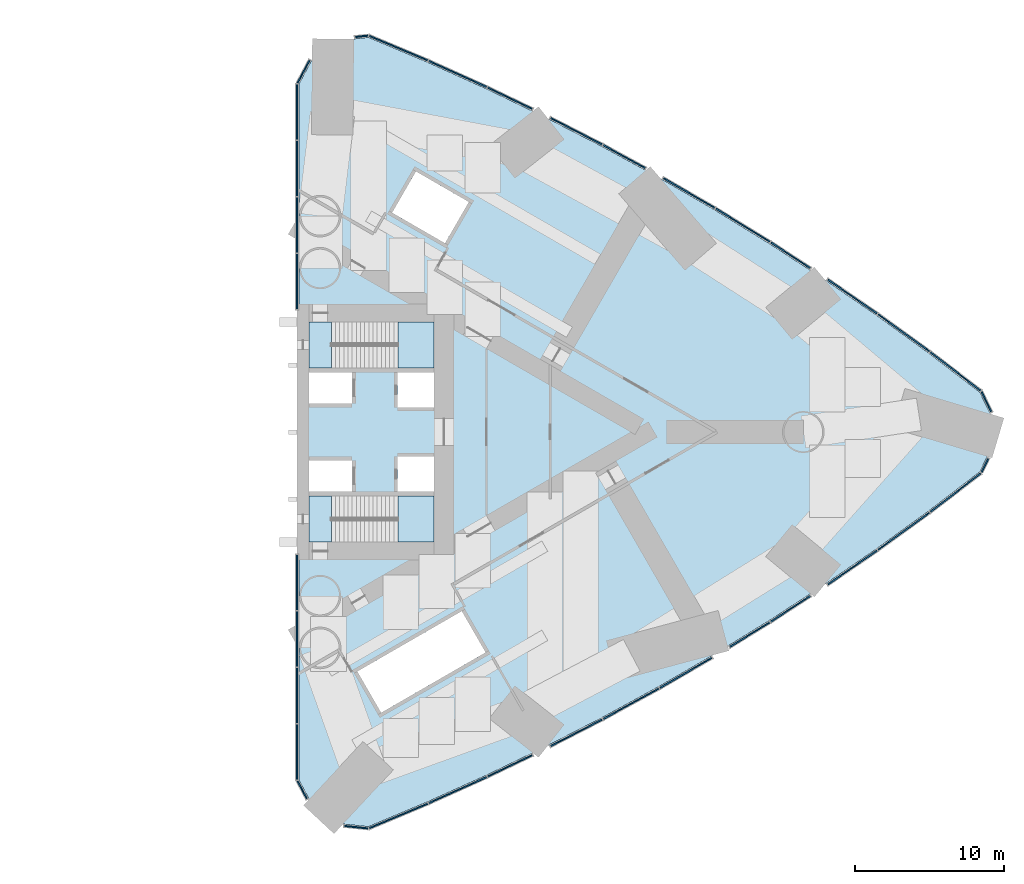
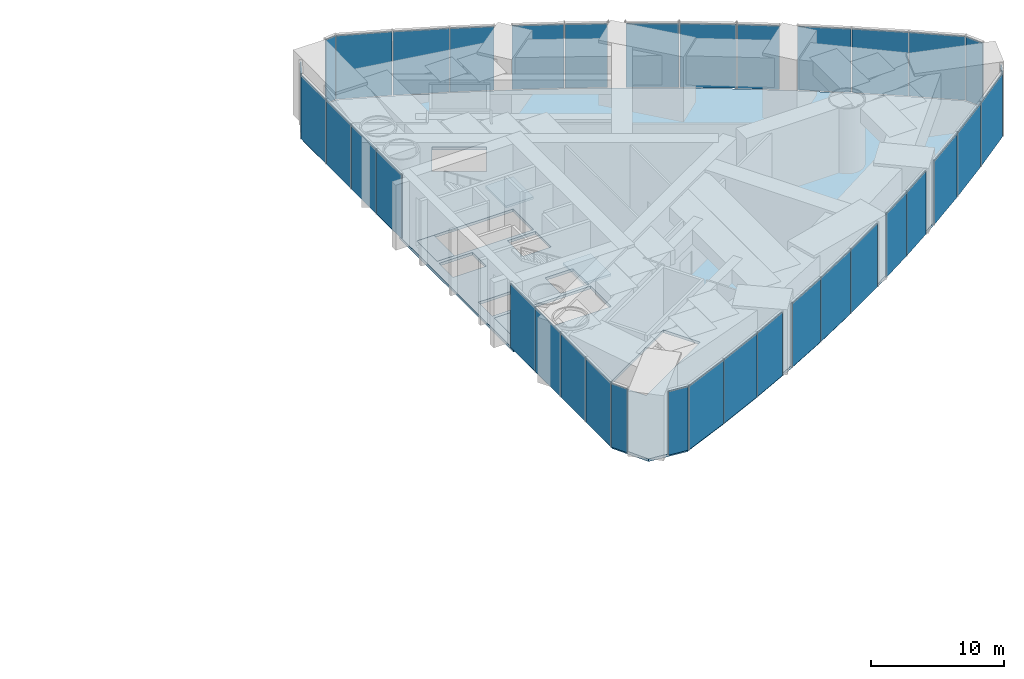
# One storey, part 12 of 18: 36 plates, 5 slabs, 12 elements without a shape of their own.
"""IFC4 building model written with IfcOpenShell, lengths in metres."""

from ifc_helpers import new_model, si_unit, direction, frame, origin, origin_2d, place, context, subcontext, project, spatial, polyline, rectangle, outline, extrude, material, layer, layer_set, type_object, element, aggregate, save


model = new_model("IFC4")

# Units and contexts
model_context = context("Model", 3, precision=1e-05, world=origin(), true_north=direction((0.0, 1.0)))
body_context = subcontext(model_context, "Body", "Model", "MODEL_VIEW")
ifc_project = project(units=[si_unit("LENGTHUNIT", "METRE"), si_unit("AREAUNIT", "SQUARE_METRE"), si_unit("VOLUMEUNIT", "CUBIC_METRE"), si_unit("PLANEANGLEUNIT", "RADIAN"), si_unit("MASSUNIT", "GRAM", prefix="KILO")], contexts=[model_context])

# Site, building, storey
site_placement = place(None, origin())
site = spatial("IfcSite", under=ifc_project, at=site_placement, CompositionType="ELEMENT")
building_placement = place(site_placement, origin())
building = spatial("IfcBuilding", under=site, at=building_placement, Name="Lancet Gate Hotel", CompositionType="ELEMENT")
storey_placement = place(building_placement, frame((0.0, 0.0, 81.0)))
storey = spatial("IfcBuildingStorey", under=building, at=storey_placement, Name="L21", CompositionType="ELEMENT", Elevation=81.0)

# Slab
ifc_material_1 = material(Name="Concrete C50/60", Category="concrete")
ifc_layer_1 = layer(ifc_material_1, 0.25)
ifc_layer_set_1 = layer_set([ifc_layer_1], Name="Floor slab 250")
slab_type_1 = type_object("IfcSlabType", Name="Floor slab 250", PredefinedType="FLOOR", material=ifc_layer_set_1)
slab_1_placement = place(storey_placement, frame((0.0, 0.0, -0.25)))
element("IfcSlab", 1, at=slab_1_placement, inside=storey, type_object=slab_type_1, Name="T2 L21 floor slab", PredefinedType="FLOOR", context=body_context, shape_type="SweptSolid", body=[
    extrude(outline(polyline([(27.5, -8.60009765625), (27.6201171875, -8.60009765625), (27.6201171875, -23.35498046875), (29.12158203125, -26.175537109375), (32.299072265625, -26.5048828125), (36.26708984375, -24.833740234375), (40.2177734375, -23.050048828125), (44.121826171875, -21.16650390625), (47.9765625, -19.18408203125), (51.77978515625, -17.104248046875), (55.528564453125, -14.92822265625), (59.220947265625, -12.657470703125), (62.854248046875, -10.29345703125), (66.42626953125, -7.837890625), (69.934814453125, -5.292236328125), (73.355712890625, -2.67431640625), (74.65576171875, 0.0), (73.355712890625, 2.67431640625), (69.934814453125, 5.292236328125), (66.42626953125, 7.837890625), (62.854248046875, 10.29345703125), (59.220947265625, 12.657470703125), (55.528564453125, 14.92822265625), (51.77978515625, 17.104248046875), (47.9765625, 19.18408203125), (44.121826171875, 21.16650390625), (40.2177734375, 23.050048828125), (36.26708984375, 24.833740234375), (32.299072265625, 26.5048828125), (29.12158203125, 26.175537109375), (27.6201171875, 23.35498046875), (27.6201171875, 8.60009765625), (27.5, 8.60009765625), (27.5, 8.199951171875), (27.5, -8.199951171875), (27.5, -8.60009765625)]), holes=[polyline([(36.699951171875, -7.39990234375), (36.699951171875, -4.300048828125), (28.300048828125, -4.300048828125), (28.300048828125, -7.39990234375), (36.699951171875, -7.39990234375)]), polyline([(28.300048828125, -4.0), (31.199951171875, -4.0), (31.199951171875, -1.89990234375), (28.300048828125, -1.89990234375), (28.300048828125, -4.0)]), polyline([(34.25, -4.0), (36.699951171875, -4.0), (36.699951171875, -1.64990234375), (34.25, -1.64990234375), (34.25, -4.0)]), polyline([(36.699951171875, 1.64990234375), (36.699951171875, 4.0), (34.25, 4.0), (34.25, 1.64990234375), (36.699951171875, 1.64990234375)]), polyline([(28.300048828125, 1.89990234375), (31.199951171875, 1.89990234375), (31.199951171875, 4.0), (28.300048828125, 4.0), (28.300048828125, 1.89990234375)]), polyline([(28.300048828125, 4.300048828125), (36.699951171875, 4.300048828125), (36.699951171875, 7.39990234375), (28.300048828125, 7.39990234375), (28.300048828125, 4.300048828125)]), polyline([(31.549072265625, -16.0810546875), (33.14892578125, -18.85205078125), (40.1640625, -14.802001953125), (38.56396484375, -12.031005859375), (31.549072265625, -16.0810546875)]), polyline([(33.887939453125, 14.73095703125), (37.43798828125, 12.680908203125), (39.0380859375, 15.451904296875), (35.488037109375, 17.501953125), (33.887939453125, 14.73095703125)])]), origin(), (0.0, 0.0, 1.0), 0.25),
])

# Curtain wall, plates
ifc_material_2 = material(Name="Aluminium curtain wall", Category="aluminium")
curtain_wall_type = type_object("IfcCurtainWallType", Name="Refuge storey louvred curtain wall", PredefinedType="USERDEFINED", material=ifc_material_2)
curtain_wall_1_placement = place(storey_placement, origin())
curtain_wall_1 = element("IfcCurtainWall", 2, at=curtain_wall_1_placement, inside=storey, type_object=curtain_wall_type, Name="T2 L21 curtain wall 1", ObjectType="LANTERN GLAZING", PredefinedType="USERDEFINED")
ifc_material_3 = material(Name="Aluminium weather louvre 100 deep", Category="aluminium")
ifc_layer_2 = layer(ifc_material_3, 0.10009765625)
ifc_layer_set_2 = layer_set([ifc_layer_2], Name="Louvre panel")
plate_type = type_object("IfcPlateType", Name="Louvre panel", PredefinedType="CURTAIN_PANEL", material=ifc_layer_set_2)
plate_1_placement = place(storey_placement, frame((27.5, -10.09814453125, 0.0), z_axis=(0.0, 0.0, 1.0), x_axis=(0.0, -1.0, 0.0)))
plate_1 = element("IfcPlate", 3, at=plate_1_placement, type_object=plate_type, Name="T2 L21 curtain wall 1 panel 1", PredefinedType="CURTAIN_PANEL", context=body_context, shape_type="SweptSolid", body=[
    extrude(rectangle(XDim=3.731201171875, YDim=0.10009765625, at=origin_2d()), origin(), (0.0, 0.0, 1.0), 5.85009765625),
])
plate_2_placement = place(storey_placement, frame((27.5, -13.894287109375, 0.0), z_axis=(0.0, 0.0, 1.0), x_axis=(0.0, -1.0, 0.0)))
plate_2 = element("IfcPlate", 4, at=plate_2_placement, type_object=plate_type, Name="T2 L21 curtain wall 1 panel 2", PredefinedType="CURTAIN_PANEL", context=body_context, shape_type="SweptSolid", body=[
    extrude(rectangle(XDim=3.731201171875, YDim=0.10009765625, at=origin_2d()), origin(), (0.0, 0.0, 1.0), 5.85009765625),
])
plate_3_placement = place(storey_placement, frame((27.5, -17.6904296875, 0.0), z_axis=(0.0, 0.0, 1.0), x_axis=(0.0, -1.0, 0.0)))
plate_3 = element("IfcPlate", 5, at=plate_3_placement, type_object=plate_type, Name="T2 L21 curtain wall 1 panel 3", PredefinedType="CURTAIN_PANEL", context=body_context, shape_type="SweptSolid", body=[
    extrude(rectangle(XDim=3.731201171875, YDim=0.10009765625, at=origin_2d()), origin(), (0.0, 0.0, 1.0), 5.85009765625),
])
plate_4_placement = place(storey_placement, frame((27.5, -21.48681640625, 0.0), z_axis=(0.0, 0.0, 1.0), x_axis=(0.0, -1.0, 0.0)))
plate_4 = element("IfcPlate", 6, at=plate_4_placement, type_object=plate_type, Name="T2 L21 curtain wall 1 panel 4", PredefinedType="CURTAIN_PANEL", context=body_context, shape_type="SweptSolid", body=[
    extrude(rectangle(XDim=3.731201171875, YDim=0.10009765625, at=origin_2d()), origin(), (0.0, 0.0, 1.0), 5.85009765625),
])
plate_5_placement = place(storey_placement, frame((27.841796875, -24.02685546875, 0.0), z_axis=(0.0, 0.0, 1.0), x_axis=(0.469897827284, -0.882720811987, 0.0)))
plate_5 = element("IfcPlate", 7, at=plate_5_placement, type_object=plate_type, Name="T2 L21 curtain wall 1 panel 5", PredefinedType="CURTAIN_PANEL", context=body_context, shape_type="SweptSolid", body=[
    extrude(rectangle(XDim=1.389892578125, YDim=0.10009765625, at=origin_2d()), origin(), (0.0, 0.0, 1.0), 5.85009765625),
])
aggregate(curtain_wall_1, [plate_1, plate_2, plate_3, plate_4, plate_5])

curtain_wall_2_placement = place(storey_placement, origin())
curtain_wall_2 = element("IfcCurtainWall", 8, at=curtain_wall_2_placement, inside=storey, type_object=curtain_wall_type, Name="T2 L21 curtain wall 2", ObjectType="LANTERN GLAZING", PredefinedType="USERDEFINED")
plate_6_placement = place(storey_placement, frame((31.47802734375, -26.54052734375, 0.0), z_axis=(0.0, 0.0, 1.0), x_axis=(0.994672262412, -0.10308778001, 0.0)))
plate_6 = element("IfcPlate", 9, at=plate_6_placement, type_object=plate_type, Name="T2 L21 curtain wall 2 panel 1", PredefinedType="CURTAIN_PANEL", context=body_context, shape_type="SweptSolid", body=[
    extrude(rectangle(XDim=1.62255859375, YDim=0.10009765625, at=origin_2d()), origin(), (0.0, 0.0, 1.0), 5.85009765625),
])
plate_7_placement = place(storey_placement, frame((34.316162109375, -25.78564453125, 0.0), z_axis=(0.0, 0.0, 1.0), x_axis=(0.92159330598, 0.38815689917, 0.0)))
plate_7 = element("IfcPlate", 10, at=plate_7_placement, type_object=plate_type, Name="T2 L21 curtain wall 2 panel 2", PredefinedType="CURTAIN_PANEL", context=body_context, shape_type="SweptSolid", body=[
    extrude(rectangle(XDim=4.272705078125, YDim=0.10009765625, at=origin_2d()), origin(), (0.0, 0.0, 1.0), 5.85009765625),
])
plate_8_placement = place(storey_placement, frame((38.291748046875, -24.05126953125, 0.0), z_axis=(0.0, 0.0, 1.0), x_axis=(0.911415640556, 0.41148697446, 0.0)))
plate_8 = element("IfcPlate", 11, at=plate_8_placement, type_object=plate_type, Name="T2 L21 curtain wall 2 panel 3", PredefinedType="CURTAIN_PANEL", context=body_context, shape_type="SweptSolid", body=[
    extrude(rectangle(XDim=4.272705078125, YDim=0.10009765625, at=origin_2d()), origin(), (0.0, 0.0, 1.0), 5.85009765625),
])
plate_9_placement = place(storey_placement, frame((41.80029296875, -22.419677734375, 0.0), z_axis=(0.0, 0.0, 1.0), x_axis=(0.90064748964, 0.434550456686, 0.0)))
plate_9 = element("IfcPlate", 12, at=plate_9_placement, type_object=plate_type, Name="T2 L21 curtain wall 2 panel 4", PredefinedType="CURTAIN_PANEL", context=body_context, shape_type="SweptSolid", body=[
    extrude(rectangle(XDim=3.33642578125, YDim=0.10009765625, at=origin_2d()), origin(), (0.0, 0.0, 1.0), 5.85009765625),
])
aggregate(curtain_wall_2, [plate_6, plate_7, plate_8, plate_9])

curtain_wall_3_placement = place(storey_placement, origin())
curtain_wall_3 = element("IfcCurtainWall", 13, at=curtain_wall_3_placement, inside=storey, type_object=curtain_wall_type, Name="T2 L21 curtain wall 3", ObjectType="LANTERN GLAZING", PredefinedType="USERDEFINED")
plate_10_placement = place(storey_placement, frame((46.26025390625, -20.20166015625, 0.0), z_axis=(0.0, 0.0, 1.0), x_axis=(0.889295829671, 0.457332403541, 0.0)))
plate_10 = element("IfcPlate", 14, at=plate_10_placement, type_object=plate_type, Name="T2 L21 curtain wall 3 panel 1", PredefinedType="CURTAIN_PANEL", context=body_context, shape_type="SweptSolid", body=[
    extrude(rectangle(XDim=3.921630859375, YDim=0.10009765625, at=origin_2d()), origin(), (0.0, 0.0, 1.0), 5.85009765625),
])
plate_11_placement = place(storey_placement, frame((49.935791015625, -18.249267578125, 0.0), z_axis=(0.0, 0.0, 1.0), x_axis=(0.877368015134, 0.47981805512, 0.0)))
plate_11 = element("IfcPlate", 15, at=plate_11_placement, type_object=plate_type, Name="T2 L21 curtain wall 3 panel 2", PredefinedType="CURTAIN_PANEL", context=body_context, shape_type="SweptSolid", body=[
    extrude(rectangle(XDim=4.272705078125, YDim=0.10009765625, at=origin_2d()), origin(), (0.0, 0.0, 1.0), 5.85009765625),
])
plate_12_placement = place(storey_placement, frame((53.6181640625, -16.17578125, 0.0), z_axis=(0.0, 0.0, 1.0), x_axis=(0.864871773788, 0.501992843479, 0.0)))
plate_12 = element("IfcPlate", 16, at=plate_12_placement, type_object=plate_type, Name="T2 L21 curtain wall 3 panel 3", PredefinedType="CURTAIN_PANEL", context=body_context, shape_type="SweptSolid", body=[
    extrude(rectangle(XDim=4.050537109375, YDim=0.10009765625, at=origin_2d()), origin(), (0.0, 0.0, 1.0), 5.85009765625),
])
aggregate(curtain_wall_3, [plate_10, plate_11, plate_12])

curtain_wall_4_placement = place(storey_placement, origin())
curtain_wall_4 = element("IfcCurtainWall", 17, at=curtain_wall_4_placement, inside=storey, type_object=curtain_wall_type, Name="T2 L21 curtain wall 4", ObjectType="LANTERN GLAZING", PredefinedType="USERDEFINED")
plate_13_placement = place(storey_placement, frame((57.910400390625, -13.604248046875, 0.0), z_axis=(0.0, 0.0, 1.0), x_axis=(0.851815201664, 0.523842402077, 0.0)))
plate_13 = element("IfcPlate", 18, at=plate_13_placement, type_object=plate_type, Name="T2 L21 curtain wall 4 panel 1", PredefinedType="CURTAIN_PANEL", context=body_context, shape_type="SweptSolid", body=[
    extrude(rectangle(XDim=3.16259765625, YDim=0.10009765625, at=origin_2d()), origin(), (0.0, 0.0, 1.0), 5.85009765625),
])
plate_14_placement = place(storey_placement, frame((60.644775390625, -11.874267578125, 0.0), z_axis=(0.0, 0.0, 1.0), x_axis=(0.838206757819, 0.54535257508, 0.0)))
plate_14 = element("IfcPlate", 19, at=plate_14_placement, type_object=plate_type, Name="T2 L21 curtain wall 4 panel 2", PredefinedType="CURTAIN_PANEL", context=body_context, shape_type="SweptSolid", body=[
    extrude(rectangle(XDim=3.178955078125, YDim=0.10009765625, at=origin_2d()), origin(), (0.0, 0.0, 1.0), 5.85009765625),
])
aggregate(curtain_wall_4, [plate_13, plate_14])

curtain_wall_5_placement = place(storey_placement, origin())
curtain_wall_5 = element("IfcCurtainWall", 20, at=curtain_wall_5_placement, inside=storey, type_object=curtain_wall_type, Name="T2 L21 curtain wall 5", ObjectType="LANTERN GLAZING", PredefinedType="USERDEFINED")
plate_15_placement = place(storey_placement, frame((64.8046875, -9.098388671875, 0.0), z_axis=(0.0, 0.0, 1.0), x_axis=(0.824055258853, 0.566509426538, 0.0)))
plate_15 = element("IfcPlate", 21, at=plate_15_placement, type_object=plate_type, Name="T2 L21 curtain wall 5 panel 1", PredefinedType="CURTAIN_PANEL", context=body_context, shape_type="SweptSolid", body=[
    extrude(rectangle(XDim=4.038818359375, YDim=0.10009765625, at=origin_2d()), origin(), (0.0, 0.0, 1.0), 5.85009765625),
])
plate_16_placement = place(storey_placement, frame((68.2509765625, -6.662109375, 0.0), z_axis=(0.0, 0.0, 1.0), x_axis=(0.809369873203, 0.587299249405, 0.0)))
plate_16 = element("IfcPlate", 22, at=plate_16_placement, type_object=plate_type, Name="T2 L21 curtain wall 5 panel 2", PredefinedType="CURTAIN_PANEL", context=body_context, shape_type="SweptSolid", body=[
    extrude(rectangle(XDim=4.272705078125, YDim=0.10009765625, at=origin_2d()), origin(), (0.0, 0.0, 1.0), 5.85009765625),
])
plate_17_placement = place(storey_placement, frame((71.72900390625, -4.0703125, 0.0), z_axis=(0.0, 0.0, 1.0), x_axis=(0.794160115195, 0.607708574428, 0.0)))
plate_17 = element("IfcPlate", 23, at=plate_17_placement, type_object=plate_type, Name="T2 L21 curtain wall 5 panel 3", PredefinedType="CURTAIN_PANEL", context=body_context, shape_type="SweptSolid", body=[
    extrude(rectangle(XDim=4.272705078125, YDim=0.10009765625, at=origin_2d()), origin(), (0.0, 0.0, 1.0), 5.85009765625),
])
plate_18_placement = place(storey_placement, frame((73.69580078125, -2.249267578125, 0.0), z_axis=(0.0, 0.0, 1.0), x_axis=(0.437169070119, 0.899379343843, 0.0)))
plate_18 = element("IfcPlate", 24, at=plate_18_placement, type_object=plate_type, Name="T2 L21 curtain wall 5 panel 4", PredefinedType="CURTAIN_PANEL", context=body_context, shape_type="SweptSolid", body=[
    extrude(rectangle(XDim=1.0537109375, YDim=0.10009765625, at=origin_2d()), origin(), (0.0, 0.0, 1.0), 5.85009765625),
])
aggregate(curtain_wall_5, [plate_15, plate_16, plate_17, plate_18])

curtain_wall_6_placement = place(storey_placement, origin())
curtain_wall_6 = element("IfcCurtainWall", 25, at=curtain_wall_6_placement, inside=storey, type_object=curtain_wall_type, Name="T2 L21 curtain wall 6", ObjectType="LANTERN GLAZING", PredefinedType="USERDEFINED")
plate_19_placement = place(storey_placement, frame((73.79833984375, 2.038330078125, 0.0), z_axis=(0.0, 0.0, 1.0), x_axis=(-0.437169070119, 0.899379343843, 0.0)))
plate_19 = element("IfcPlate", 26, at=plate_19_placement, type_object=plate_type, Name="T2 L21 curtain wall 6 panel 1", PredefinedType="CURTAIN_PANEL", context=body_context, shape_type="SweptSolid", body=[
    extrude(rectangle(XDim=1.5224609375, YDim=0.10009765625, at=origin_2d()), origin(), (0.0, 0.0, 1.0), 5.85009765625),
])
plate_20_placement = place(storey_placement, frame((71.72900390625, 4.0703125, 0.0), z_axis=(0.0, 0.0, 1.0), x_axis=(-0.794160115195, 0.607708574428, 0.0)))
plate_20 = element("IfcPlate", 27, at=plate_20_placement, type_object=plate_type, Name="T2 L21 curtain wall 6 panel 2", PredefinedType="CURTAIN_PANEL", context=body_context, shape_type="SweptSolid", body=[
    extrude(rectangle(XDim=4.272705078125, YDim=0.10009765625, at=origin_2d()), origin(), (0.0, 0.0, 1.0), 5.85009765625),
])
plate_21_placement = place(storey_placement, frame((68.2509765625, 6.662109375, 0.0), z_axis=(0.0, 0.0, 1.0), x_axis=(-0.809369873203, 0.587299249405, 0.0)))
plate_21 = element("IfcPlate", 28, at=plate_21_placement, type_object=plate_type, Name="T2 L21 curtain wall 6 panel 3", PredefinedType="CURTAIN_PANEL", context=body_context, shape_type="SweptSolid", body=[
    extrude(rectangle(XDim=4.272705078125, YDim=0.10009765625, at=origin_2d()), origin(), (0.0, 0.0, 1.0), 5.85009765625),
])
plate_22_placement = place(storey_placement, frame((64.8046875, 9.098388671875, 0.0), z_axis=(0.0, 0.0, 1.0), x_axis=(-0.824055258853, 0.566509426538, 0.0)))
plate_22 = element("IfcPlate", 29, at=plate_22_placement, type_object=plate_type, Name="T2 L21 curtain wall 6 panel 4", PredefinedType="CURTAIN_PANEL", context=body_context, shape_type="SweptSolid", body=[
    extrude(rectangle(XDim=4.038818359375, YDim=0.10009765625, at=origin_2d()), origin(), (0.0, 0.0, 1.0), 5.85009765625),
])
aggregate(curtain_wall_6, [plate_19, plate_20, plate_21, plate_22])

curtain_wall_7_placement = place(storey_placement, origin())
curtain_wall_7 = element("IfcCurtainWall", 30, at=curtain_wall_7_placement, inside=storey, type_object=curtain_wall_type, Name="T2 L21 curtain wall 7", ObjectType="LANTERN GLAZING", PredefinedType="USERDEFINED")
plate_23_placement = place(storey_placement, frame((60.644775390625, 11.874267578125, 0.0), z_axis=(0.0, 0.0, 1.0), x_axis=(-0.838206757819, 0.54535257508, 0.0)))
plate_23 = element("IfcPlate", 31, at=plate_23_placement, type_object=plate_type, Name="T2 L21 curtain wall 7 panel 1", PredefinedType="CURTAIN_PANEL", context=body_context, shape_type="SweptSolid", body=[
    extrude(rectangle(XDim=3.178955078125, YDim=0.10009765625, at=origin_2d()), origin(), (0.0, 0.0, 1.0), 5.85009765625),
])
plate_24_placement = place(storey_placement, frame((57.437744140625, 13.89501953125, 0.0), z_axis=(0.0, 0.0, 1.0), x_axis=(-0.851815201664, 0.523842402077, 0.0)))
plate_24 = element("IfcPlate", 32, at=plate_24_placement, type_object=plate_type, Name="T2 L21 curtain wall 7 panel 2", PredefinedType="CURTAIN_PANEL", context=body_context, shape_type="SweptSolid", body=[
    extrude(rectangle(XDim=4.272705078125, YDim=0.10009765625, at=origin_2d()), origin(), (0.0, 0.0, 1.0), 5.85009765625),
])
plate_25_placement = place(storey_placement, frame((53.833740234375, 16.050537109375, 0.0), z_axis=(0.0, 0.0, 1.0), x_axis=(-0.864871773788, 0.501992843479, 0.0)))
plate_25 = element("IfcPlate", 33, at=plate_25_placement, type_object=plate_type, Name="T2 L21 curtain wall 7 panel 3", PredefinedType="CURTAIN_PANEL", context=body_context, shape_type="SweptSolid", body=[
    extrude(rectangle(XDim=3.99658203125, YDim=0.10009765625, at=origin_2d()), origin(), (0.0, 0.0, 1.0), 5.85009765625),
])
aggregate(curtain_wall_7, [plate_23, plate_24, plate_25])

curtain_wall_8_placement = place(storey_placement, origin())
curtain_wall_8 = element("IfcCurtainWall", 34, at=curtain_wall_8_placement, inside=storey, type_object=curtain_wall_type, Name="T2 L21 curtain wall 8", ObjectType="LANTERN GLAZING", PredefinedType="USERDEFINED")
plate_26_placement = place(storey_placement, frame((49.4814453125, 18.497802734375, 0.0), z_axis=(0.0, 0.0, 1.0), x_axis=(-0.877368015134, 0.47981805512, 0.0)))
plate_26 = element("IfcPlate", 35, at=plate_26_placement, type_object=plate_type, Name="T2 L21 curtain wall 8 panel 1", PredefinedType="CURTAIN_PANEL", context=body_context, shape_type="SweptSolid", body=[
    extrude(rectangle(XDim=3.237060546875, YDim=0.10009765625, at=origin_2d()), origin(), (0.0, 0.0, 1.0), 5.85009765625),
])
plate_27_placement = place(storey_placement, frame((46.26025390625, 20.20166015625, 0.0), z_axis=(0.0, 0.0, 1.0), x_axis=(-0.889295829671, 0.457332403541, 0.0)))
plate_27 = element("IfcPlate", 36, at=plate_27_placement, type_object=plate_type, Name="T2 L21 curtain wall 8 panel 2", PredefinedType="CURTAIN_PANEL", context=body_context, shape_type="SweptSolid", body=[
    extrude(rectangle(XDim=3.921630859375, YDim=0.10009765625, at=origin_2d()), origin(), (0.0, 0.0, 1.0), 5.85009765625),
])
aggregate(curtain_wall_8, [plate_26, plate_27])

curtain_wall_9_placement = place(storey_placement, origin())
curtain_wall_9 = element("IfcCurtainWall", 37, at=curtain_wall_9_placement, inside=storey, type_object=curtain_wall_type, Name="T2 L21 curtain wall 9", ObjectType="LANTERN GLAZING", PredefinedType="USERDEFINED")
plate_28_placement = place(storey_placement, frame((41.80029296875, 22.419677734375, 0.0), z_axis=(0.0, 0.0, 1.0), x_axis=(-0.90064748964, 0.434550456686, 0.0)))
plate_28 = element("IfcPlate", 38, at=plate_28_placement, type_object=plate_type, Name="T2 L21 curtain wall 9 panel 1", PredefinedType="CURTAIN_PANEL", context=body_context, shape_type="SweptSolid", body=[
    extrude(rectangle(XDim=3.33642578125, YDim=0.10009765625, at=origin_2d()), origin(), (0.0, 0.0, 1.0), 5.85009765625),
])
plate_29_placement = place(storey_placement, frame((38.291748046875, 24.05126953125, 0.0), z_axis=(0.0, 0.0, 1.0), x_axis=(-0.911415640556, 0.41148697446, 0.0)))
plate_29 = element("IfcPlate", 39, at=plate_29_placement, type_object=plate_type, Name="T2 L21 curtain wall 9 panel 2", PredefinedType="CURTAIN_PANEL", context=body_context, shape_type="SweptSolid", body=[
    extrude(rectangle(XDim=4.272705078125, YDim=0.10009765625, at=origin_2d()), origin(), (0.0, 0.0, 1.0), 5.85009765625),
])
plate_30_placement = place(storey_placement, frame((34.316162109375, 25.78564453125, 0.0), z_axis=(0.0, 0.0, 1.0), x_axis=(-0.92159330598, 0.38815689917, 0.0)))
plate_30 = element("IfcPlate", 40, at=plate_30_placement, type_object=plate_type, Name="T2 L21 curtain wall 9 panel 3", PredefinedType="CURTAIN_PANEL", context=body_context, shape_type="SweptSolid", body=[
    extrude(rectangle(XDim=4.272705078125, YDim=0.10009765625, at=origin_2d()), origin(), (0.0, 0.0, 1.0), 5.85009765625),
])
plate_31_placement = place(storey_placement, frame((31.8388671875, 26.577880859375, 0.0), z_axis=(0.0, 0.0, 1.0), x_axis=(-0.994672262412, -0.10308778001, 0.0)))
plate_31 = element("IfcPlate", 41, at=plate_31_placement, type_object=plate_type, Name="T2 L21 curtain wall 9 panel 4", PredefinedType="CURTAIN_PANEL", context=body_context, shape_type="SweptSolid", body=[
    extrude(rectangle(XDim=0.89697265625, YDim=0.10009765625, at=origin_2d()), origin(), (0.0, 0.0, 1.0), 5.85009765625),
])
aggregate(curtain_wall_9, [plate_28, plate_29, plate_30, plate_31])

curtain_wall_10_placement = place(storey_placement, origin())
curtain_wall_10 = element("IfcCurtainWall", 42, at=curtain_wall_10_placement, inside=storey, type_object=curtain_wall_type, Name="T2 L21 curtain wall 10", ObjectType="LANTERN GLAZING", PredefinedType="USERDEFINED")
plate_32_placement = place(storey_placement, frame((27.9326171875, 24.197509765625, 0.0), z_axis=(0.0, 0.0, 1.0), x_axis=(-0.469897827284, -0.882720811987, 0.0)))
plate_32 = element("IfcPlate", 43, at=plate_32_placement, type_object=plate_type, Name="T2 L21 curtain wall 10 panel 1", PredefinedType="CURTAIN_PANEL", context=body_context, shape_type="SweptSolid", body=[
    extrude(rectangle(XDim=1.7763671875, YDim=0.10009765625, at=origin_2d()), origin(), (0.0, 0.0, 1.0), 5.85009765625),
])
plate_33_placement = place(storey_placement, frame((27.5, 21.48681640625, 0.0), z_axis=(0.0, 0.0, 1.0), x_axis=(0.0, -1.0, 0.0)))
plate_33 = element("IfcPlate", 44, at=plate_33_placement, type_object=plate_type, Name="T2 L21 curtain wall 10 panel 2", PredefinedType="CURTAIN_PANEL", context=body_context, shape_type="SweptSolid", body=[
    extrude(rectangle(XDim=3.731201171875, YDim=0.10009765625, at=origin_2d()), origin(), (0.0, 0.0, 1.0), 5.85009765625),
])
plate_34_placement = place(storey_placement, frame((27.5, 17.6904296875, 0.0), z_axis=(0.0, 0.0, 1.0), x_axis=(0.0, -1.0, 0.0)))
plate_34 = element("IfcPlate", 45, at=plate_34_placement, type_object=plate_type, Name="T2 L21 curtain wall 10 panel 3", PredefinedType="CURTAIN_PANEL", context=body_context, shape_type="SweptSolid", body=[
    extrude(rectangle(XDim=3.731201171875, YDim=0.10009765625, at=origin_2d()), origin(), (0.0, 0.0, 1.0), 5.85009765625),
])
plate_35_placement = place(storey_placement, frame((27.5, 13.894287109375, 0.0), z_axis=(0.0, 0.0, 1.0), x_axis=(0.0, -1.0, 0.0)))
plate_35 = element("IfcPlate", 46, at=plate_35_placement, type_object=plate_type, Name="T2 L21 curtain wall 10 panel 4", PredefinedType="CURTAIN_PANEL", context=body_context, shape_type="SweptSolid", body=[
    extrude(rectangle(XDim=3.731201171875, YDim=0.10009765625, at=origin_2d()), origin(), (0.0, 0.0, 1.0), 5.85009765625),
])
plate_36_placement = place(storey_placement, frame((27.5, 10.09814453125, 0.0), z_axis=(0.0, 0.0, 1.0), x_axis=(0.0, -1.0, 0.0)))
plate_36 = element("IfcPlate", 47, at=plate_36_placement, type_object=plate_type, Name="T2 L21 curtain wall 10 panel 5", PredefinedType="CURTAIN_PANEL", context=body_context, shape_type="SweptSolid", body=[
    extrude(rectangle(XDim=3.731201171875, YDim=0.10009765625, at=origin_2d()), origin(), (0.0, 0.0, 1.0), 5.85009765625),
])
aggregate(curtain_wall_10, [plate_32, plate_33, plate_34, plate_35, plate_36])

# Stair, slabs
ifc_material_4 = material(Name="Exit stair 34 risers 1500")
stair_type = type_object("IfcStairType", Name="Exit stair 34 risers 1500", PredefinedType="HALF_TURN_STAIR", material=ifc_material_4)
stair_1_placement = place(storey_placement, origin())
stair_1 = element("IfcStair", 48, at=stair_1_placement, inside=storey, type_object=stair_type, Name="T2 stair 1 L21", PredefinedType="HALF_TURN_STAIR")
ifc_material_5 = material(Name="Concrete C40/50", Category="concrete")
ifc_layer_3 = layer(ifc_material_5, 0.199951171875)
ifc_layer_set_3 = layer_set([ifc_layer_3], Name="Stair landing 200")
slab_type_2 = type_object("IfcSlabType", Name="Stair landing 200", PredefinedType="LANDING", material=ifc_layer_set_3)
slab_2_placement = place(storey_placement, frame((0.0, 0.0, -0.199951171875)))
slab_2 = element("IfcSlab", 49, at=slab_2_placement, type_object=slab_type_2, Name="ST3 landing 1", PredefinedType="LANDING", context=body_context, shape_type="SweptSolid", body=[
    extrude(outline(polyline([(28.300048828125, -7.39990234375), (29.800048828125, -7.39990234375), (29.800048828125, -4.300048828125), (28.300048828125, -4.300048828125), (28.300048828125, -7.39990234375)])), origin(), (0.0, 0.0, 1.0), 0.199951171875),
])
slab_3_placement = place(storey_placement, frame((0.0, 0.0, 2.800048828125)))
slab_3 = element("IfcSlab", 50, at=slab_3_placement, type_object=slab_type_2, Name="ST3 landing 2", PredefinedType="LANDING", context=body_context, shape_type="SweptSolid", body=[
    extrude(outline(polyline([(34.280029296875, -7.39990234375), (36.699951171875, -7.39990234375), (36.699951171875, -4.300048828125), (34.280029296875, -4.300048828125), (34.280029296875, -7.39990234375)])), origin(), (0.0, 0.0, 1.0), 0.199951171875),
])
aggregate(stair_1, [slab_2, slab_3])

stair_2_placement = place(storey_placement, origin())
stair_2 = element("IfcStair", 51, at=stair_2_placement, inside=storey, type_object=stair_type, Name="T2 stair 2 L21", PredefinedType="HALF_TURN_STAIR")
slab_4_placement = place(storey_placement, frame((0.0, 0.0, -0.199951171875)))
slab_4 = element("IfcSlab", 52, at=slab_4_placement, type_object=slab_type_2, Name="ST4 landing 1", PredefinedType="LANDING", context=body_context, shape_type="SweptSolid", body=[
    extrude(outline(polyline([(28.300048828125, 4.300048828125), (29.800048828125, 4.300048828125), (29.800048828125, 7.39990234375), (28.300048828125, 7.39990234375), (28.300048828125, 4.300048828125)])), origin(), (0.0, 0.0, 1.0), 0.199951171875),
])
slab_5_placement = place(storey_placement, frame((0.0, 0.0, 2.800048828125)))
slab_5 = element("IfcSlab", 53, at=slab_5_placement, type_object=slab_type_2, Name="ST4 landing 2", PredefinedType="LANDING", context=body_context, shape_type="SweptSolid", body=[
    extrude(outline(polyline([(34.280029296875, 4.300048828125), (36.699951171875, 4.300048828125), (36.699951171875, 7.39990234375), (34.280029296875, 7.39990234375), (34.280029296875, 4.300048828125)])), origin(), (0.0, 0.0, 1.0), 0.199951171875),
])
aggregate(stair_2, [slab_4, slab_5])

save(model, "model.ifc")
